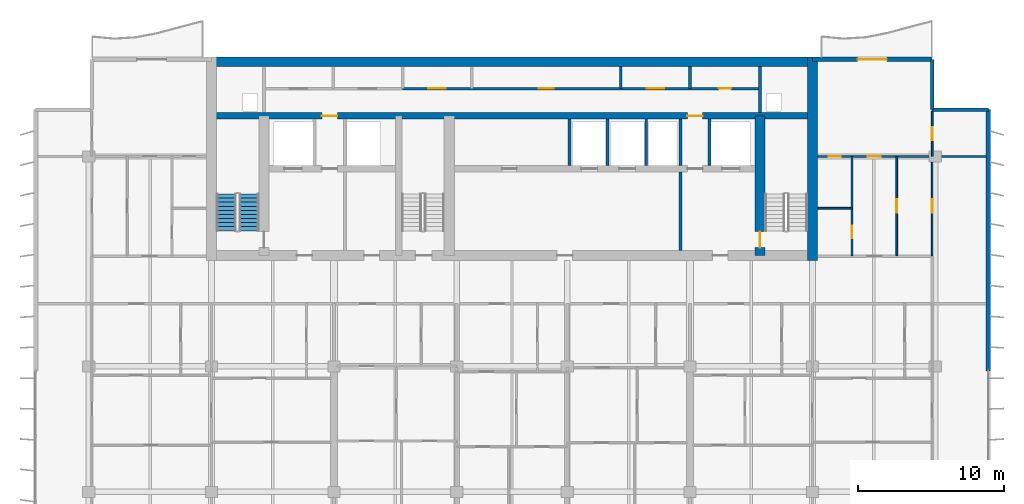
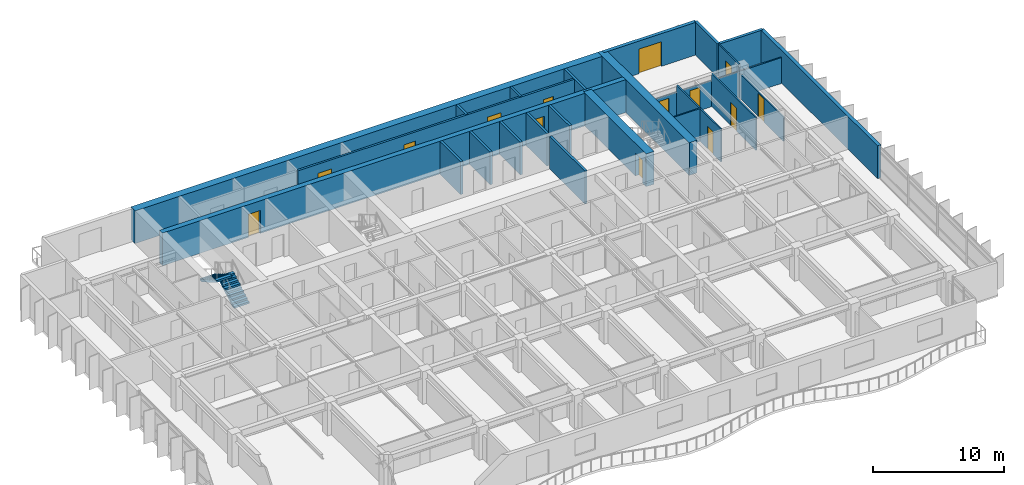
# One storey, part 13 of 18: 24 walls, 14 doors, 2 stair flights, 14 openings, 1 element without a shape of its own.
"""IFC4 building model written with IfcOpenShell, lengths in metres."""

from ifc_helpers import new_model, si_unit, direction, frame, frame_2d, origin, place, context, subcontext, project, spatial, polyline, rectangle, outline, extrude, material, layer, layer_set, type_object, element, fill, aggregate, save


model = new_model("IFC4")

# Units and contexts
model_context = context("Model", 3, precision=1e-05, world=origin(), true_north=direction((0.0, 1.0)))
body_context = subcontext(model_context, "Body", "Model", "MODEL_VIEW")
ifc_project = project(units=[si_unit("LENGTHUNIT", "METRE"), si_unit("AREAUNIT", "SQUARE_METRE"), si_unit("VOLUMEUNIT", "CUBIC_METRE"), si_unit("PLANEANGLEUNIT", "RADIAN"), si_unit("MASSUNIT", "GRAM", prefix="KILO")], contexts=[model_context])

# Site, building, storey
site_placement = place(None, origin())
site = spatial("IfcSite", under=ifc_project, at=site_placement, CompositionType="ELEMENT")
building_placement = place(site_placement, origin())
building = spatial("IfcBuilding", under=site, at=building_placement, Name="Caelmar Bay Residences", CompositionType="ELEMENT")
storey_placement = place(building_placement, frame((0.0, 0.0, 170.39990234375)))
storey = spatial("IfcBuildingStorey", under=building, at=storey_placement, Name="L47", CompositionType="ELEMENT", Elevation=170.39990234375)

# Wall
ifc_material_1 = material(Name="Concrete f'c 55 MPa (8,000 psi)", Category="concrete")
ifc_layer_1 = layer(ifc_material_1, 0.699951171875)
ifc_layer_set_1 = layer_set([ifc_layer_1], Name="Concrete f'c 55 MPa (8,000 psi)")
wall_type_1 = type_object("IfcWallType", Name="SW-COR-700", PredefinedType="SHEAR", material=ifc_layer_set_1)
wall_1_placement = place(storey_placement, frame((59.5, 36.64990234375, 0.0), z_axis=(0.0, 0.0, 1.0), x_axis=(0.0, 1.0, 0.0)))
element("IfcWall", 1, at=wall_1_placement, inside=storey, type_object=wall_type_1, Name="L47 Rear Core East Shear Wall", PredefinedType="SHEAR", context=body_context, shape_type="SweptSolid", body=[
    extrude(rectangle(XDim=13.9501953125, YDim=0.699951171875, at=frame_2d((6.97509765625, 0.0))), origin(), (0.0, 0.0, 1.0), 3.050048828125),
])

# Wall, opening, door
wall_2_placement = place(storey_placement, frame((55.89990234375, 37.0, 0.0), z_axis=(0.0, 0.0, 1.0), x_axis=(0.0, 1.0, 0.0)))
wall_2 = element("IfcWall", 2, at=wall_2_placement, inside=storey, type_object=wall_type_1, Name="L47 Core Structural Web Wall ST2W", PredefinedType="SHEAR", context=body_context, shape_type="SweptSolid", body=[
    extrude(rectangle(XDim=9.574951171875, YDim=0.699951171875, at=frame_2d((4.78759765625, 0.0))), origin(), (0.0, 0.0, 1.0), 3.050048828125),
])
opening_1_placement = place(wall_2_placement, frame((0.550048828125, 0.0, 0.0)))
opening_1 = element("IfcOpeningElement", 3, at=opening_1_placement, cuts=wall_2, Name="Opening D-L47-110", PredefinedType="OPENING", context=body_context, shape_type="SweptSolid", body=[
    extrude(rectangle(XDim=1.10009765625, YDim=2.14990234375, at=frame_2d((0.550048828125, 1.074951171875))), frame((0.0, 0.35986328125, 0.0), z_axis=(0.0, -1.0, 0.0), x_axis=(1.0, 0.0, 0.0)), (0.0, 0.0, 1.0), 0.719970703125),
])
ifc_material_2 = material(Name="Fire-rated steel and walnut architectural door assembly", Category="steel")
ifc_layer_2 = layer(ifc_material_2, 0.050048828125)
ifc_layer_set_2 = layer_set([ifc_layer_2], Name="Fire-rated steel and walnut architectural door assembly")
door_type_1 = type_object("IfcDoorType", Name="D-STAIR-1100", OperationType="NOTDEFINED", PredefinedType="DOOR", material=ifc_layer_set_2)
door_1_placement = place(opening_1_placement, origin())
door_1 = element("IfcDoor", 4, at=door_1_placement, inside=storey, type_object=door_type_1, Name="L47 Firefighting Lobby East Door", OperationType="SINGLE_SWING_LEFT", OverallHeight=2.14990234375, OverallWidth=1.10009765625, PredefinedType="DOOR", context=body_context, shape_type="SweptSolid", body=[
    extrude(rectangle(XDim=1.10009765625, YDim=2.14990234375, at=frame_2d((0.550048828125, 1.074951171875))), frame((0.0, 0.02490234375, 0.0), z_axis=(0.0, -1.0, 0.0), x_axis=(1.0, 0.0, 0.0)), (0.0, 0.0, 1.0), 0.050048828125),
])
fill(opening_1, door_1)

# Wall
ifc_layer_3 = layer(ifc_material_1, 0.64990234375)
ifc_layer_set_3 = layer_set([ifc_layer_3], Name="Concrete f'c 55 MPa (8,000 psi)")
wall_type_2 = type_object("IfcWallType", Name="SW-CORN-650", PredefinedType="SHEAR", material=ifc_layer_set_3)
wall_3_placement = place(storey_placement, frame((17.949951171875, 50.27490234375, 0.0), z_axis=(0.0, 0.0, 1.0), x_axis=(1.0, 0.0, 0.0)))
element("IfcWall", 5, at=wall_3_placement, inside=storey, type_object=wall_type_2, Name="L47 Rear Core North Shear Wall", PredefinedType="SHEAR", context=body_context, shape_type="SweptSolid", body=[
    extrude(rectangle(XDim=41.900146484375, YDim=0.64990234375, at=frame_2d((20.9501953125, 0.0))), origin(), (0.0, 0.0, 1.0), 3.050048828125),
])

# Wall, openings, doors
ifc_material_3 = material(Name="Concrete f'c 70 MPa (10,000 psi)", Category="concrete")
ifc_layer_4 = layer(ifc_material_3, 0.449951171875)
ifc_layer_set_4 = layer_set([ifc_layer_4], Name="Concrete f'c 70 MPa (10,000 psi)")
wall_type_3 = type_object("IfcWallType", Name="SW-WEB-450", PredefinedType="SHEAR", material=ifc_layer_set_4)
wall_4_placement = place(storey_placement, frame((18.300048828125, 46.574951171875, 0.0), z_axis=(0.0, 0.0, 1.0), x_axis=(1.0, 0.0, 0.0)))
wall_4 = element("IfcWall", 6, at=wall_4_placement, inside=storey, type_object=wall_type_3, Name="L47 Core Structural Web Wall SRVS", PredefinedType="SHEAR", context=body_context, shape_type="SweptSolid", body=[
    extrude(rectangle(XDim=41.199951171875, YDim=0.449951171875, at=frame_2d((20.60009765625, 0.0))), origin(), (0.0, 0.0, 1.0), 3.050048828125),
])
opening_2_placement = place(wall_4_placement, frame((7.574951171875, 0.0, 0.0)))
opening_2 = element("IfcOpeningElement", 7, at=opening_2_placement, cuts=wall_4, Name="Opening D-L47-115", PredefinedType="OPENING", context=body_context, shape_type="SweptSolid", body=[
    extrude(rectangle(XDim=1.050048828125, YDim=2.14990234375, at=frame_2d((0.52490234375, 1.074951171875))), frame((0.0, 0.23486328125, 0.0), z_axis=(0.0, -1.0, 0.0), x_axis=(1.0, 0.0, 0.0)), (0.0, 0.0, 1.0), 0.469970703125),
])
opening_3_placement = place(wall_4_placement, frame((32.625, 0.0, 0.0)))
opening_3 = element("IfcOpeningElement", 8, at=opening_3_placement, cuts=wall_4, Name="Opening D-L47-116", PredefinedType="OPENING", context=body_context, shape_type="SweptSolid", body=[
    extrude(rectangle(XDim=1.050048828125, YDim=2.14990234375, at=frame_2d((0.52490234375, 1.074951171875))), frame((0.0, 0.23486328125, 0.0), z_axis=(0.0, -1.0, 0.0), x_axis=(1.0, 0.0, 0.0)), (0.0, 0.0, 1.0), 0.469970703125),
])
ifc_layer_5 = layer(ifc_material_2, 0.050048828125)
ifc_layer_set_5 = layer_set([ifc_layer_5], Name="Fire-rated steel and walnut architectural door assembly")
door_type_2 = type_object("IfcDoorType", Name="D-FSAE-1050", OperationType="NOTDEFINED", PredefinedType="DOOR", material=ifc_layer_set_5)
door_2_placement = place(opening_2_placement, origin())
door_2 = element("IfcDoor", 9, at=door_2_placement, inside=storey, type_object=door_type_2, Name="L47 Core Service Corridor Door", OperationType="SINGLE_SWING_RIGHT", OverallHeight=2.14990234375, OverallWidth=1.050048828125, PredefinedType="DOOR", context=body_context, shape_type="SweptSolid", body=[
    extrude(rectangle(XDim=1.050048828125, YDim=2.14990234375, at=frame_2d((0.52490234375, 1.074951171875))), frame((0.0, 0.02490234375, 0.0), z_axis=(0.0, -1.0, 0.0), x_axis=(1.0, 0.0, 0.0)), (0.0, 0.0, 1.0), 0.050048828125),
])
fill(opening_2, door_2)
door_3_placement = place(opening_3_placement, origin())
door_3 = element("IfcDoor", 10, at=door_3_placement, inside=storey, type_object=door_type_2, Name="L47 Core Service Corridor Door", OperationType="SINGLE_SWING_LEFT", OverallHeight=2.14990234375, OverallWidth=1.050048828125, PredefinedType="DOOR", context=body_context, shape_type="SweptSolid", body=[
    extrude(rectangle(XDim=1.050048828125, YDim=2.14990234375, at=frame_2d((0.52490234375, 1.074951171875))), frame((0.0, 0.02490234375, 0.0), z_axis=(0.0, -1.0, 0.0), x_axis=(1.0, 0.0, 0.0)), (0.0, 0.0, 1.0), 0.050048828125),
])
fill(opening_3, door_3)

# Walls
ifc_material_4 = material(Name="Double-stud acoustic fire-rated gypsum partition 180 mm")
ifc_layer_6 = layer(ifc_material_4, 0.179931640625)
ifc_layer_set_6 = layer_set([ifc_layer_6], Name="Double-stud acoustic fire-rated gypsum partition 180 mm")
wall_type_4 = type_object("IfcWallType", Name="W-COR-200", PredefinedType="PARTITIONING", material=ifc_layer_set_6)
for number, where, z_axis, x_axis, name in (
    (11, (46.35009765625, 48.449951171875, 0.0), (0.0, 0.0, 1.0), (0.0, 1.0, 0.0), "L47 Partition Wall V055"),
    (12, (51.10009765625, 48.449951171875, 0.0), (0.0, 0.0, 1.0), (0.0, 1.0, 0.0), "L47 Partition Wall V067"),
):
    element("IfcWall", number, at=place(storey_placement, frame(where, z_axis=z_axis, x_axis=x_axis)), inside=storey, type_object=wall_type_4, Name=name, PredefinedType="PARTITIONING", context=body_context, shape_type="SweptSolid", body=[
        extrude(rectangle(XDim=1.505126953125, YDim=0.179931640625, at=frame_2d((0.75244140625, 0.0))), origin(), (0.0, 0.0, 1.0), 3.050048828125),
    ])

# Wall, openings, doors
wall_5_placement = place(storey_placement, frame((31.39990234375, 48.449951171875, 0.0), z_axis=(0.0, 0.0, 1.0), x_axis=(1.0, 0.0, 0.0)))
wall_5 = element("IfcWall", 13, at=wall_5_placement, inside=storey, type_object=wall_type_4, Name="L47 Partition Wall H128", PredefinedType="PARTITIONING", context=body_context, shape_type="SweptSolid", body=[
    extrude(rectangle(XDim=24.5, YDim=0.179931640625, at=frame_2d((12.25, 0.0))), origin(), (0.0, 0.0, 1.0), 3.050048828125),
])
opening_4_placement = place(wall_5_placement, frame((1.77490234375, 0.0, 0.0)))
opening_4 = element("IfcOpeningElement", 14, at=opening_4_placement, cuts=wall_5, Name="Opening D-L47-119", PredefinedType="OPENING", context=body_context, shape_type="SweptSolid", body=[
    extrude(rectangle(XDim=1.199951171875, YDim=2.199951171875, at=frame_2d((0.60009765625, 1.10009765625))), frame((0.0, 0.099853515625, 0.0), z_axis=(0.0, -1.0, 0.0), x_axis=(1.0, 0.0, 0.0)), (0.0, 0.0, 1.0), 0.199951171875),
])
opening_5_placement = place(wall_5_placement, frame((9.35009765625, 0.0, 0.0)))
opening_5 = element("IfcOpeningElement", 15, at=opening_5_placement, cuts=wall_5, Name="Opening D-L47-120", PredefinedType="OPENING", context=body_context, shape_type="SweptSolid", body=[
    extrude(rectangle(XDim=1.0, YDim=2.199951171875, at=frame_2d((0.5, 1.10009765625))), frame((0.0, 0.099853515625, 0.0), z_axis=(0.0, -1.0, 0.0), x_axis=(1.0, 0.0, 0.0)), (0.0, 0.0, 1.0), 0.199951171875),
])
opening_6_placement = place(wall_5_placement, frame((16.72509765625, 0.0, 0.0)))
opening_6 = element("IfcOpeningElement", 16, at=opening_6_placement, cuts=wall_5, Name="Opening D-L47-121", PredefinedType="OPENING", context=body_context, shape_type="SweptSolid", body=[
    extrude(rectangle(XDim=1.199951171875, YDim=2.199951171875, at=frame_2d((0.60009765625, 1.10009765625))), frame((0.0, 0.099853515625, 0.0), z_axis=(0.0, -1.0, 0.0), x_axis=(1.0, 0.0, 0.0)), (0.0, 0.0, 1.0), 0.199951171875),
])
opening_7_placement = place(wall_5_placement, frame((21.675048828125, 0.0, 0.0)))
opening_7 = element("IfcOpeningElement", 17, at=opening_7_placement, cuts=wall_5, Name="Opening D-L47-122", PredefinedType="OPENING", context=body_context, shape_type="SweptSolid", body=[
    extrude(rectangle(XDim=0.85009765625, YDim=2.10009765625, at=frame_2d((0.425048828125, 1.050048828125))), frame((0.0, 0.099853515625, 0.0), z_axis=(0.0, -1.0, 0.0), x_axis=(1.0, 0.0, 0.0)), (0.0, 0.0, 1.0), 0.199951171875),
])
ifc_layer_7 = layer(ifc_material_2, 0.050048828125)
ifc_layer_set_7 = layer_set([ifc_layer_7], Name="Fire-rated steel and walnut architectural door assembly")
door_type_3 = type_object("IfcDoorType", Name="D-CORE-850", OperationType="NOTDEFINED", PredefinedType="DOOR", material=ifc_layer_set_7)
door_4_placement = place(opening_7_placement, origin())
door_4 = element("IfcDoor", 18, at=door_4_placement, inside=storey, type_object=door_type_3, Name="L47 Staff Restroom Door", OperationType="SINGLE_SWING_LEFT", OverallHeight=2.10009765625, OverallWidth=0.85009765625, PredefinedType="DOOR", context=body_context, shape_type="SweptSolid", body=[
    extrude(rectangle(XDim=0.85009765625, YDim=2.10009765625, at=frame_2d((0.425048828125, 1.050048828125))), frame((0.0, 0.02490234375, 0.0), z_axis=(0.0, -1.0, 0.0), x_axis=(1.0, 0.0, 0.0)), (0.0, 0.0, 1.0), 0.050048828125),
])
fill(opening_7, door_4)
ifc_layer_8 = layer(ifc_material_2, 0.050048828125)
ifc_layer_set_8 = layer_set([ifc_layer_8], Name="Fire-rated steel and walnut architectural door assembly")
door_type_4 = type_object("IfcDoorType", Name="D-PLANT-1200", OperationType="NOTDEFINED", PredefinedType="DOOR", material=ifc_layer_set_8)
door_5_placement = place(opening_4_placement, origin())
door_5 = element("IfcDoor", 19, at=door_5_placement, inside=storey, type_object=door_type_4, Name="L47 Low-Voltage Data Closet Door", OperationType="SINGLE_SWING_RIGHT", OverallHeight=2.199951171875, OverallWidth=1.199951171875, PredefinedType="DOOR", context=body_context, shape_type="SweptSolid", body=[
    extrude(rectangle(XDim=1.199951171875, YDim=2.199951171875, at=frame_2d((0.60009765625, 1.10009765625))), frame((0.0, 0.02490234375, 0.0), z_axis=(0.0, -1.0, 0.0), x_axis=(1.0, 0.0, 0.0)), (0.0, 0.0, 1.0), 0.050048828125),
])
fill(opening_4, door_5)
door_6_placement = place(opening_6_placement, origin())
door_6 = element("IfcDoor", 20, at=door_6_placement, inside=storey, type_object=door_type_4, Name="L47 Valet Trunk Closet Door", OperationType="SINGLE_SWING_RIGHT", OverallHeight=2.199951171875, OverallWidth=1.199951171875, PredefinedType="DOOR", context=body_context, shape_type="SweptSolid", body=[
    extrude(rectangle(XDim=1.199951171875, YDim=2.199951171875, at=frame_2d((0.60009765625, 1.10009765625))), frame((0.0, 0.02490234375, 0.0), z_axis=(0.0, -1.0, 0.0), x_axis=(1.0, 0.0, 0.0)), (0.0, 0.0, 1.0), 0.050048828125),
])
fill(opening_6, door_6)
ifc_layer_9 = layer(ifc_material_2, 0.050048828125)
ifc_layer_set_9 = layer_set([ifc_layer_9], Name="Fire-rated steel and walnut architectural door assembly")
door_type_5 = type_object("IfcDoorType", Name="D-UNIT-1000", OperationType="NOTDEFINED", PredefinedType="DOOR", material=ifc_layer_set_9)
door_7_placement = place(opening_5_placement, origin())
door_7 = element("IfcDoor", 21, at=door_7_placement, inside=storey, type_object=door_type_5, Name="L47 Mail Sorting Office Door", OperationType="SINGLE_SWING_LEFT", OverallHeight=2.199951171875, OverallWidth=1.0, PredefinedType="DOOR", context=body_context, shape_type="SweptSolid", body=[
    extrude(rectangle(XDim=1.0, YDim=2.199951171875, at=frame_2d((0.5, 1.10009765625))), frame((0.0, 0.02490234375, 0.0), z_axis=(0.0, -1.0, 0.0), x_axis=(1.0, 0.0, 0.0)), (0.0, 0.0, 1.0), 0.050048828125),
])
fill(opening_5, door_7)

# Walls
ifc_material_5 = material(Name="Precast concrete f'c 40 MPa (6,000 psi)", Category="concrete")
ifc_layer_10 = layer(ifc_material_5, 0.25)
ifc_layer_set_10 = layer_set([ifc_layer_10], Name="Precast concrete f'c 40 MPa (6,000 psi)")
wall_type_5 = type_object("IfcWallType", Name="W-EXT-250", PredefinedType="ELEMENTEDWALL", material=ifc_layer_set_10)
wall_6_placement = place(storey_placement, frame((67.699951171875, 50.449951171875, 0.0), z_axis=(0.0, 0.0, 1.0), x_axis=(0.0, -1.0, 0.0)))
element("IfcWall", 22, at=wall_6_placement, inside=storey, type_object=wall_type_5, Name="L47 NNE-V Notch Wall", PredefinedType="ELEMENTEDWALL", context=body_context, shape_type="SweptSolid", body=[
    extrude(rectangle(XDim=3.449951171875, YDim=0.25, at=frame_2d((1.72509765625, 0.0))), origin(), (0.0, 0.0, 1.0), 3.050048828125),
])
wall_7_placement = place(storey_placement, frame((67.699951171875, 47.0, 0.0), z_axis=(0.0, 0.0, 1.0), x_axis=(1.0, 0.0, 0.0)))
element("IfcWall", 23, at=wall_7_placement, inside=storey, type_object=wall_type_5, Name="L47 NNE-H Notch Wall", PredefinedType="ELEMENTEDWALL", context=body_context, shape_type="SweptSolid", body=[
    extrude(rectangle(XDim=3.85009765625, YDim=0.25, at=frame_2d((1.925048828125, 0.0))), origin(), (0.0, 0.0, 1.0), 3.050048828125),
])
ifc_layer_11 = layer(ifc_material_5, 0.300048828125)
ifc_layer_set_11 = layer_set([ifc_layer_11], Name="Precast concrete f'c 40 MPa (6,000 psi)")
wall_type_6 = type_object("IfcWallType", Name="W-EXT-300", PredefinedType="STANDARD", material=ifc_layer_set_11)
wall_8_placement = place(storey_placement, frame((71.550048828125, 47.0, 0.0), z_axis=(0.0, 0.0, 1.0), x_axis=(0.0, -1.0, 0.0)))
element("IfcWall", 24, at=wall_8_placement, inside=storey, type_object=wall_type_6, Name="L47 East Rear Exterior Wall", PredefinedType="STANDARD", context=body_context, shape_type="SweptSolid", body=[
    extrude(rectangle(XDim=17.89990234375, YDim=0.300048828125, at=frame_2d((8.949951171875, 0.0))), origin(), (0.0, 0.0, 1.0), 3.050048828125),
])

# Wall, opening, door
wall_9_placement = place(storey_placement, frame((59.5, 50.449951171875, 0.0), z_axis=(0.0, 0.0, 1.0), x_axis=(1.0, 0.0, 0.0)))
wall_9 = element("IfcWall", 25, at=wall_9_placement, inside=storey, type_object=wall_type_6, Name="L47 North-East Wing Exterior Wall", PredefinedType="STANDARD", context=body_context, shape_type="SweptSolid", body=[
    extrude(rectangle(XDim=8.199951171875, YDim=0.300048828125, at=frame_2d((4.10009765625, 0.0))), origin(), (0.0, 0.0, 1.0), 3.050048828125),
])
opening_8_placement = place(wall_9_placement, frame((3.10009765625, 0.0, 0.0)))
opening_8 = element("IfcOpeningElement", 26, at=opening_8_placement, cuts=wall_9, Name="Opening L47-BDNE", PredefinedType="OPENING", context=body_context, shape_type="SweptSolid", body=[
    extrude(rectangle(XDim=2.0, YDim=2.300048828125, at=frame_2d((1.0, 1.14990234375))), frame((0.0, 0.159912109375, 0.0), z_axis=(0.0, -1.0, 0.0), x_axis=(1.0, 0.0, 0.0)), (0.0, 0.0, 1.0), 0.320068359375),
])
ifc_material_6 = material(Name="Anodised bronze thermally broken sliding glass door", Category="glass")
ifc_layer_12 = layer(ifc_material_6, 0.050048828125)
ifc_layer_set_12 = layer_set([ifc_layer_12], Name="Anodised bronze thermally broken sliding glass door")
door_type_6 = type_object("IfcDoorType", Name="D-BAL-2000", OperationType="DOUBLE_DOOR_SLIDING", PredefinedType="DOOR", material=ifc_layer_set_12)
door_8_placement = place(opening_8_placement, origin())
door_8 = element("IfcDoor", 27, at=door_8_placement, inside=storey, type_object=door_type_6, Name="L47 North-East Balcony Door", OperationType="DOUBLE_DOOR_SLIDING", OverallHeight=2.300048828125, OverallWidth=2.0, PredefinedType="DOOR", context=body_context, shape_type="SweptSolid", body=[
    extrude(rectangle(XDim=2.0, YDim=2.300048828125, at=frame_2d((1.0, 1.14990234375))), frame((0.0, 0.02490234375, 0.0), z_axis=(0.0, -1.0, 0.0), x_axis=(1.0, 0.0, 0.0)), (0.0, 0.0, 1.0), 0.050048828125),
])
fill(opening_8, door_8)

# Walls
ifc_material_7 = material(Name="Fire-rated masonry and gypsum shaftliner assembly 200 mm", Category="masonry")
ifc_layer_13 = layer(ifc_material_7, 0.199951171875)
ifc_layer_set_13 = layer_set([ifc_layer_13], Name="Fire-rated masonry and gypsum shaftliner assembly 200 mm")
wall_type_7 = type_object("IfcWallType", Name="W-FSAE-200", PredefinedType="PARTITIONING", material=ifc_layer_set_13)
for number, where, z_axis, x_axis, name in (
    (28, (42.85009765625, 43.169921875, 0.0), (0.0, 0.0, 1.0), (0.0, 1.0, 0.0), "L47 Partition Wall V053"),
    (29, (45.449951171875, 43.169921875, 0.0), (0.0, 0.0, 1.0), (0.0, 1.0, 0.0), "L47 Partition Wall V054"),
    (30, (48.10009765625, 43.169921875, 0.0), (0.0, 0.0, 1.0), (0.0, 1.0, 0.0), "L47 Partition Wall V060"),
):
    element("IfcWall", number, at=place(storey_placement, frame(where, z_axis=z_axis, x_axis=x_axis)), inside=storey, type_object=wall_type_7, Name=name, PredefinedType="PARTITIONING", context=body_context, shape_type="SweptSolid", body=[
        extrude(rectangle(XDim=3.18505859375, YDim=0.199951171875, at=frame_2d((1.592529296875, 0.0))), origin(), (0.0, 0.0, 1.0), 3.050048828125),
    ])
wall_10_placement = place(storey_placement, frame((50.449951171875, 37.344970703125, 0.0), z_axis=(0.0, 0.0, 1.0), x_axis=(0.0, 1.0, 0.0)))
element("IfcWall", 31, at=wall_10_placement, inside=storey, type_object=wall_type_7, Name="L47 Partition Wall V062", PredefinedType="PARTITIONING", context=body_context, shape_type="SweptSolid", body=[
    extrude(rectangle(XDim=5.385009765625, YDim=0.199951171875, at=frame_2d((2.6923828125, 0.0))), origin(), (0.0, 0.0, 1.0), 3.050048828125),
])
for number, where, z_axis, x_axis, name in (
    (32, (50.449951171875, 43.169921875, 0.0), (0.0, 0.0, 1.0), (0.0, 1.0, 0.0), "L47 Partition Wall V063"),
    (33, (52.449951171875, 43.169921875, 0.0), (0.0, 0.0, 1.0), (0.0, 1.0, 0.0), "L47 Partition Wall V068"),
):
    element("IfcWall", number, at=place(storey_placement, frame(where, z_axis=z_axis, x_axis=x_axis)), inside=storey, type_object=wall_type_7, Name=name, PredefinedType="PARTITIONING", context=body_context, shape_type="SweptSolid", body=[
        extrude(rectangle(XDim=3.18505859375, YDim=0.199951171875, at=frame_2d((1.592529296875, 0.0))), origin(), (0.0, 0.0, 1.0), 3.050048828125),
    ])
wall_11_placement = place(storey_placement, frame((55.89990234375, 46.794921875, 0.0), z_axis=(0.0, 0.0, 1.0), x_axis=(0.0, 1.0, 0.0)))
element("IfcWall", 34, at=wall_11_placement, inside=storey, type_object=wall_type_7, Name="L47 Partition Wall V071", PredefinedType="PARTITIONING", context=body_context, shape_type="SweptSolid", body=[
    extrude(rectangle(XDim=3.16015625, YDim=0.199951171875, at=frame_2d((1.580078125, 0.0))), origin(), (0.0, 0.0, 1.0), 3.050048828125),
])

# Wall, opening, door
ifc_material_8 = material(Name="Anodised bronze framed acoustic sliding study partition 100 mm")
ifc_layer_14 = layer(ifc_material_8, 0.10009765625)
ifc_layer_set_14 = layer_set([ifc_layer_14], Name="Anodised bronze framed acoustic sliding study partition 100 mm")
wall_type_8 = type_object("IfcWallType", Name="W-MOV-100", PredefinedType="MOVABLE", material=ifc_layer_set_14)
wall_12_placement = place(storey_placement, frame((67.699951171875, 37.0, 0.0), z_axis=(0.0, 0.0, 1.0), x_axis=(0.0, 1.0, 0.0)))
wall_12 = element("IfcWall", 35, at=wall_12_placement, inside=storey, type_object=wall_type_8, Name="L47 Partition Wall V090", PredefinedType="MOVABLE", context=body_context, shape_type="SweptSolid", body=[
    extrude(rectangle(XDim=6.800048828125, YDim=0.10009765625, at=frame_2d((3.39990234375, 0.0))), origin(), (0.0, 0.0, 1.0), 2.26318359375),
])
opening_9_placement = place(wall_12_placement, frame((2.949951171875, 0.0, 0.0)))
opening_9 = element("IfcOpeningElement", 36, at=opening_9_placement, cuts=wall_12, Name="Opening D-L47-177", PredefinedType="OPENING", context=body_context, shape_type="SweptSolid", body=[
    extrude(rectangle(XDim=0.89990234375, YDim=2.14990234375, at=frame_2d((0.449951171875, 1.074951171875))), frame((0.0, 0.06005859375, 0.0), z_axis=(0.0, -1.0, 0.0), x_axis=(1.0, 0.0, 0.0)), (0.0, 0.0, 1.0), 0.1201171875),
])
ifc_material_9 = material(Name="Solid walnut timber interior door leaf and frame", Category="wood")
ifc_layer_15 = layer(ifc_material_9, 0.050048828125)
ifc_layer_set_15 = layer_set([ifc_layer_15], Name="Solid walnut timber interior door leaf and frame")
door_type_7 = type_object("IfcDoorType", Name="D-ROOM-900", OperationType="NOTDEFINED", PredefinedType="DOOR", material=ifc_layer_set_15)
door_9_placement = place(opening_9_placement, origin())
door_9 = element("IfcDoor", 37, at=door_9_placement, inside=storey, type_object=door_type_7, Name="L47 Residence EA Sun Study Door", OperationType="SINGLE_SWING_RIGHT", OverallHeight=2.14990234375, OverallWidth=0.89990234375, PredefinedType="DOOR", context=body_context, shape_type="SweptSolid", body=[
    extrude(rectangle(XDim=0.89990234375, YDim=2.14990234375, at=frame_2d((0.449951171875, 1.074951171875))), frame((0.0, 0.02490234375, 0.0), z_axis=(0.0, -1.0, 0.0), x_axis=(1.0, 0.0, 0.0)), (0.0, 0.0, 1.0), 0.050048828125),
])
fill(opening_9, door_9)

ifc_material_10 = material(Name="Acoustic metal-stud gypsum partition 120 mm")
ifc_layer_16 = layer(ifc_material_10, 0.1201171875)
ifc_layer_set_16 = layer_set([ifc_layer_16], Name="Acoustic metal-stud gypsum partition 120 mm")
wall_type_9 = type_object("IfcWallType", Name="W-PRT-120", PredefinedType="PARTITIONING", material=ifc_layer_set_16)
wall_13_placement = place(storey_placement, frame((62.199951171875, 37.0, 0.0), z_axis=(0.0, 0.0, 1.0), x_axis=(0.0, 1.0, 0.0)))
wall_13 = element("IfcWall", 38, at=wall_13_placement, inside=storey, type_object=wall_type_9, Name="L47 Partition Wall V080", PredefinedType="PARTITIONING", context=body_context, shape_type="SweptSolid", body=[
    extrude(rectangle(XDim=6.800048828125, YDim=0.1201171875, at=frame_2d((3.39990234375, 0.0))), origin(), (0.0, 0.0, 1.0), 3.050048828125),
])
opening_10_placement = place(wall_13_placement, frame((1.194091796875, 0.0, 0.0)))
opening_10 = element("IfcOpeningElement", 39, at=opening_10_placement, cuts=wall_13, Name="Opening D-L47-175", PredefinedType="OPENING", context=body_context, shape_type="SweptSolid", body=[
    extrude(rectangle(XDim=0.85009765625, YDim=2.10009765625, at=frame_2d((0.425048828125, 1.050048828125))), frame((0.0, 0.070068359375, 0.0), z_axis=(0.0, -1.0, 0.0), x_axis=(1.0, 0.0, 0.0)), (0.0, 0.0, 1.0), 0.14013671875),
])
ifc_layer_17 = layer(ifc_material_9, 0.050048828125)
ifc_layer_set_17 = layer_set([ifc_layer_17], Name="Solid walnut timber interior door leaf and frame")
door_type_8 = type_object("IfcDoorType", Name="D-BATH-850", OperationType="NOTDEFINED", PredefinedType="DOOR", material=ifc_layer_set_17)
door_10_placement = place(opening_10_placement, origin())
door_10 = element("IfcDoor", 40, at=door_10_placement, inside=storey, type_object=door_type_8, Name="L47 Residence EA Walk-In Closet Door", OperationType="SINGLE_SWING_RIGHT", OverallHeight=2.10009765625, OverallWidth=0.85009765625, PredefinedType="DOOR", context=body_context, shape_type="SweptSolid", body=[
    extrude(rectangle(XDim=0.85009765625, YDim=2.10009765625, at=frame_2d((0.425048828125, 1.050048828125))), frame((0.0, 0.02490234375, 0.0), z_axis=(0.0, -1.0, 0.0), x_axis=(1.0, 0.0, 0.0)), (0.0, 0.0, 1.0), 0.050048828125),
])
fill(opening_10, door_10)

wall_14_placement = place(storey_placement, frame((65.280029296875, 37.0, 0.0), z_axis=(0.0, 0.0, 1.0), x_axis=(0.0, 1.0, 0.0)))
wall_14 = element("IfcWall", 41, at=wall_14_placement, inside=storey, type_object=wall_type_9, Name="L47 Partition Wall V081", PredefinedType="PARTITIONING", context=body_context, shape_type="SweptSolid", body=[
    extrude(rectangle(XDim=6.800048828125, YDim=0.1201171875, at=frame_2d((3.39990234375, 0.0))), origin(), (0.0, 0.0, 1.0), 3.050048828125),
])
opening_11_placement = place(wall_14_placement, frame((2.949951171875, 0.0, 0.0)))
opening_11 = element("IfcOpeningElement", 42, at=opening_11_placement, cuts=wall_14, Name="Opening D-L47-172", PredefinedType="OPENING", context=body_context, shape_type="SweptSolid", body=[
    extrude(rectangle(XDim=0.89990234375, YDim=2.14990234375, at=frame_2d((0.449951171875, 1.074951171875))), frame((0.0, 0.070068359375, 0.0), z_axis=(0.0, -1.0, 0.0), x_axis=(1.0, 0.0, 0.0)), (0.0, 0.0, 1.0), 0.14013671875),
])
door_11_placement = place(opening_11_placement, origin())
door_11 = element("IfcDoor", 43, at=door_11_placement, inside=storey, type_object=door_type_7, Name="L47 Residence EA Dining Room Door", OperationType="SINGLE_SWING_LEFT", OverallHeight=2.14990234375, OverallWidth=0.89990234375, PredefinedType="DOOR", context=body_context, shape_type="SweptSolid", body=[
    extrude(rectangle(XDim=0.89990234375, YDim=2.14990234375, at=frame_2d((0.449951171875, 1.074951171875))), frame((0.0, 0.02490234375, 0.0), z_axis=(0.0, -1.0, 0.0), x_axis=(1.0, 0.0, 0.0)), (0.0, 0.0, 1.0), 0.050048828125),
])
fill(opening_11, door_11)

wall_15_placement = place(storey_placement, frame((67.699951171875, 43.804931640625, 0.0), z_axis=(0.0, 0.0, 1.0), x_axis=(0.0, 1.0, 0.0)))
wall_15 = element("IfcWall", 44, at=wall_15_placement, inside=storey, type_object=wall_type_9, Name="L47 Partition Wall V091", PredefinedType="PARTITIONING", context=body_context, shape_type="SweptSolid", body=[
    extrude(rectangle(XDim=3.074951171875, YDim=0.1201171875, at=frame_2d((1.53759765625, 0.0))), origin(), (0.0, 0.0, 1.0), 3.050048828125),
])
opening_12_placement = place(wall_15_placement, frame((1.08740234375, 0.0, 0.0)))
opening_12 = element("IfcOpeningElement", 45, at=opening_12_placement, cuts=wall_15, Name="Opening D-L47-178", PredefinedType="OPENING", context=body_context, shape_type="SweptSolid", body=[
    extrude(rectangle(XDim=0.89990234375, YDim=2.14990234375, at=frame_2d((0.449951171875, 1.074951171875))), frame((0.0, 0.070068359375, 0.0), z_axis=(0.0, -1.0, 0.0), x_axis=(1.0, 0.0, 0.0)), (0.0, 0.0, 1.0), 0.14013671875),
])
door_12_placement = place(opening_12_placement, origin())
door_12 = element("IfcDoor", 46, at=door_12_placement, inside=storey, type_object=door_type_7, Name="L47 Residence EA North Sitting Alcove Door", OperationType="SINGLE_SWING_LEFT", OverallHeight=2.14990234375, OverallWidth=0.89990234375, PredefinedType="DOOR", context=body_context, shape_type="SweptSolid", body=[
    extrude(rectangle(XDim=0.89990234375, YDim=2.14990234375, at=frame_2d((0.449951171875, 1.074951171875))), frame((0.0, 0.02490234375, 0.0), z_axis=(0.0, -1.0, 0.0), x_axis=(1.0, 0.0, 0.0)), (0.0, 0.0, 1.0), 0.050048828125),
])
fill(opening_12, door_12)

# Wall
wall_16_placement = place(storey_placement, frame((59.844970703125, 40.238037109375, 0.0), z_axis=(0.0, 0.0, 1.0), x_axis=(1.0, 0.0, 0.0)))
element("IfcWall", 47, at=wall_16_placement, inside=storey, type_object=wall_type_9, Name="L47 Partition Wall H123", PredefinedType="PARTITIONING", context=body_context, shape_type="SweptSolid", body=[
    extrude(rectangle(XDim=2.35498046875, YDim=0.1201171875, at=frame_2d((1.177490234375, 0.0))), origin(), (0.0, 0.0, 1.0), 3.050048828125),
])

# Wall, openings, doors
wall_17_placement = place(storey_placement, frame((59.844970703125, 43.800048828125, 0.0), z_axis=(0.0, 0.0, 1.0), x_axis=(1.0, 0.0, 0.0)))
wall_17 = element("IfcWall", 48, at=wall_17_placement, inside=storey, type_object=wall_type_9, Name="L47 Partition Wall H125", PredefinedType="PARTITIONING", context=body_context, shape_type="SweptSolid", body=[
    extrude(rectangle(XDim=11.56005859375, YDim=0.1201171875, at=frame_2d((5.780029296875, 0.0))), origin(), (0.0, 0.0, 1.0), 2.418212890625),
])
opening_13_placement = place(wall_17_placement, frame((3.445068359375, 0.0, 0.0)))
opening_13 = element("IfcOpeningElement", 49, at=opening_13_placement, cuts=wall_17, Name="Opening D-L47-174", PredefinedType="OPENING", context=body_context, shape_type="SweptSolid", body=[
    extrude(rectangle(XDim=0.89990234375, YDim=2.14990234375, at=frame_2d((0.449951171875, 1.074951171875))), frame((0.0, 0.070068359375, 0.0), z_axis=(0.0, -1.0, 0.0), x_axis=(1.0, 0.0, 0.0)), (0.0, 0.0, 1.0), 0.14013671875),
])
opening_14_placement = place(wall_17_placement, frame((0.75244140625, 0.0, 0.0)))
opening_14 = element("IfcOpeningElement", 50, at=opening_14_placement, cuts=wall_17, Name="Opening D-L47-176", PredefinedType="OPENING", context=body_context, shape_type="SweptSolid", body=[
    extrude(rectangle(XDim=0.85009765625, YDim=2.10009765625, at=frame_2d((0.425048828125, 1.050048828125))), frame((0.0, 0.070068359375, 0.0), z_axis=(0.0, -1.0, 0.0), x_axis=(1.0, 0.0, 0.0)), (0.0, 0.0, 1.0), 0.14013671875),
])
door_13_placement = place(opening_14_placement, origin())
door_13 = element("IfcDoor", 51, at=door_13_placement, inside=storey, type_object=door_type_8, Name="L47 Residence EA Bathroom Door", OperationType="SINGLE_SWING_LEFT", OverallHeight=2.10009765625, OverallWidth=0.85009765625, PredefinedType="DOOR", context=body_context, shape_type="SweptSolid", body=[
    extrude(rectangle(XDim=0.85009765625, YDim=2.10009765625, at=frame_2d((0.425048828125, 1.050048828125))), frame((0.0, 0.02490234375, 0.0), z_axis=(0.0, -1.0, 0.0), x_axis=(1.0, 0.0, 0.0)), (0.0, 0.0, 1.0), 0.050048828125),
])
fill(opening_14, door_13)
door_14_placement = place(opening_13_placement, origin())
door_14 = element("IfcDoor", 52, at=door_14_placement, inside=storey, type_object=door_type_7, Name="L47 Residence EA Studio Living and Sleeping Room Door", OperationType="SINGLE_SWING_LEFT", OverallHeight=2.14990234375, OverallWidth=0.89990234375, PredefinedType="DOOR", context=body_context, shape_type="SweptSolid", body=[
    extrude(rectangle(XDim=0.89990234375, YDim=2.14990234375, at=frame_2d((0.449951171875, 1.074951171875))), frame((0.0, 0.02490234375, 0.0), z_axis=(0.0, -1.0, 0.0), x_axis=(1.0, 0.0, 0.0)), (0.0, 0.0, 1.0), 0.050048828125),
])
fill(opening_13, door_14)

# Stair, stair flights
ifc_material_11 = material(Name="Concrete f'c 40 MPa (6,000 psi)", Category="concrete")
stair_type = type_object("IfcStairType", Name="ST-TYP-165", PredefinedType="HALF_TURN_STAIR", material=ifc_material_11)
stair_placement = place(storey_placement, origin())
stair = element("IfcStair", 53, at=stair_placement, inside=storey, type_object=stair_type, Name="L47 West Smokeproof Exit Stair ST1", PredefinedType="HALF_TURN_STAIR")
stair_flight_type = type_object("IfcStairFlightType", Name="STF-1350", PredefinedType="STRAIGHT", material=ifc_material_11)
stair_flight_1_placement = place(storey_placement, frame((20.875, 38.699951171875, 0.0), z_axis=(0.0, 0.0, 1.0), x_axis=(0.0, 1.0, 0.0)))
stair_flight_1 = element("IfcStairFlight", 54, at=stair_flight_1_placement, type_object=stair_flight_type, Name="ST1 flight 1", NumberOfRisers=10, NumberOfTreads=9, PredefinedType="STRAIGHT", RiserHeight=0.165, TreadLength=0.28, context=body_context, shape_type="SweptSolid", body=[
    extrude(outline(polyline([(0.0, 0.0), (0.0, 0.1650390625), (0.280029296875, 0.1650390625), (0.280029296875, 0.330078125), (0.56005859375, 0.330078125), (0.56005859375, 0.4951171875), (0.840087890625, 0.4951171875), (0.840087890625, 0.659912109375), (1.1201171875, 0.659912109375), (1.1201171875, 0.824951171875), (1.39990234375, 0.824951171875), (1.39990234375, 0.989990234375), (1.679931640625, 0.989990234375), (1.679931640625, 1.155029296875), (1.9599609375, 1.155029296875), (1.9599609375, 1.320068359375), (2.239990234375, 1.320068359375), (2.239990234375, 1.485107421875), (2.52001953125, 1.485107421875), (2.52001953125, 1.64990234375), (2.52001953125, 1.31103515625), (0.295166015625, 0.0), (0.0, 0.0)])), frame((0.0, 0.675048828125, 0.0), z_axis=(0.0, -1.0, 0.0), x_axis=(1.0, 0.0, 0.0)), (0.0, 0.0, 1.0), 1.35009765625),
])
stair_flight_2_placement = place(storey_placement, frame((19.324951171875, 41.219970703125, 1.650146484375), z_axis=(0.0, 0.0, 1.0), x_axis=(0.0, -1.0, 0.0)))
stair_flight_2 = element("IfcStairFlight", 55, at=stair_flight_2_placement, type_object=stair_flight_type, Name="ST1 flight 2", NumberOfRisers=10, NumberOfTreads=9, PredefinedType="STRAIGHT", RiserHeight=0.165, TreadLength=0.28, context=body_context, shape_type="SweptSolid", body=[
    extrude(outline(polyline([(0.0, 0.0), (0.0, 0.1650390625), (0.280029296875, 0.1650390625), (0.280029296875, 0.330078125), (0.56005859375, 0.330078125), (0.56005859375, 0.4951171875), (0.840087890625, 0.4951171875), (0.840087890625, 0.659912109375), (1.1201171875, 0.659912109375), (1.1201171875, 0.824951171875), (1.39990234375, 0.824951171875), (1.39990234375, 0.989990234375), (1.679931640625, 0.989990234375), (1.679931640625, 1.155029296875), (1.9599609375, 1.155029296875), (1.9599609375, 1.320068359375), (2.239990234375, 1.320068359375), (2.239990234375, 1.485107421875), (2.52001953125, 1.485107421875), (2.52001953125, 1.64990234375), (2.52001953125, 1.31103515625), (0.295166015625, 0.0), (0.0, 0.0)])), frame((0.0, 0.675048828125, 0.0), z_axis=(0.0, -1.0, 0.0), x_axis=(1.0, 0.0, 0.0)), (0.0, 0.0, 1.0), 1.35009765625),
])
aggregate(stair, [stair_flight_1, stair_flight_2])

save(model, "model.ifc")
